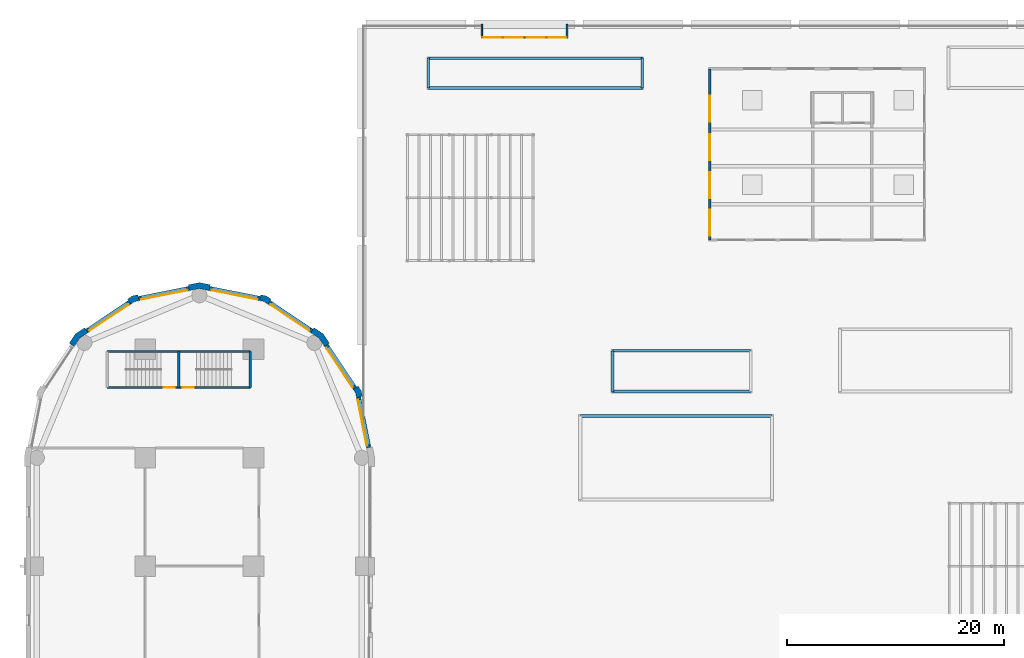
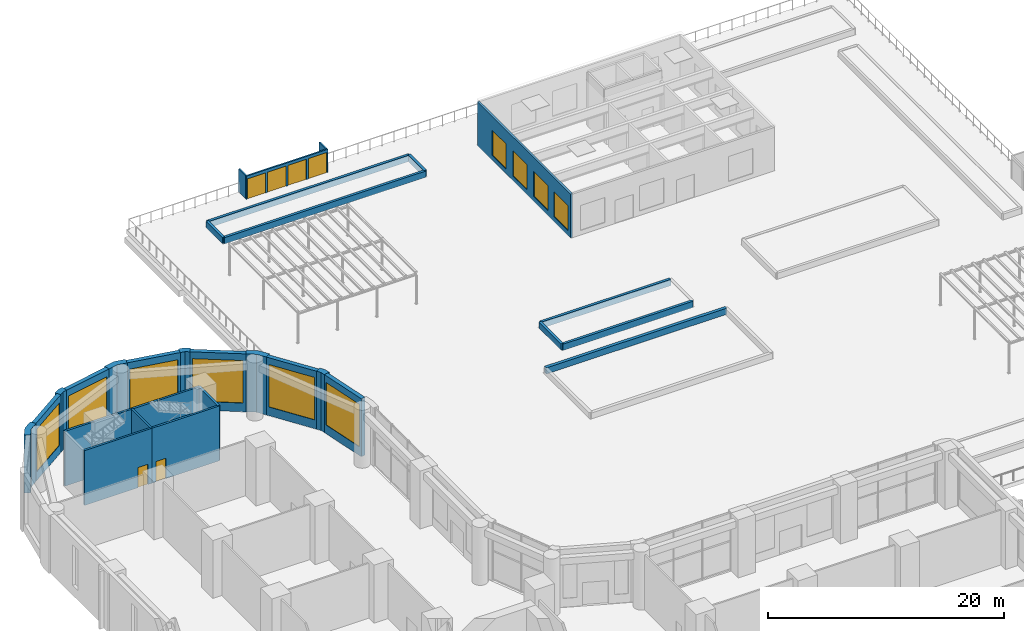
# One storey, part 18 of 28: 30 walls, 10 windows, 6 doors, 16 openings.
"""IFC4 building model written with IfcOpenShell, lengths in metres."""

from ifc_helpers import new_model, si_unit, direction, frame, frame_2d, origin, place, context, subcontext, project, spatial, polyline, rectangle, outline, extrude, material, layer, layer_set, type_object, element, fill, save


model = new_model("IFC4")

# Units and contexts
model_context = context("Model", 3, precision=1e-05, world=origin(), true_north=direction((0.0, 1.0)))
body_context = subcontext(model_context, "Body", "Model", "MODEL_VIEW")
ifc_project = project(units=[si_unit("LENGTHUNIT", "METRE"), si_unit("AREAUNIT", "SQUARE_METRE"), si_unit("VOLUMEUNIT", "CUBIC_METRE"), si_unit("PLANEANGLEUNIT", "RADIAN"), si_unit("MASSUNIT", "GRAM", prefix="KILO")], contexts=[model_context])

# Site, building, storey
site_placement = place(None, origin())
site = spatial("IfcSite", under=ifc_project, at=site_placement, CompositionType="ELEMENT")
building_placement = place(site_placement, origin())
building = spatial("IfcBuilding", under=site, at=building_placement, Name="Qaws Garden Tower", CompositionType="ELEMENT")
storey_placement = place(building_placement, frame((0.0, 0.0, 6.0)))
storey = spatial("IfcBuildingStorey", under=building, at=storey_placement, Name="L01", CompositionType="ELEMENT", Elevation=6.0)

# Wall, opening, door
ifc_material_1 = material(Name="Concrete C80", Category="concrete")
ifc_layer_1 = layer(ifc_material_1, 0.199951171875)
ifc_layer_set_1 = layer_set([ifc_layer_1], Name="Concrete C80")
wall_type_1 = type_object("IfcWallType", Name="Core shaft wall 200 C80", PredefinedType="SHEAR", material=ifc_layer_set_1)
wall_1_placement = place(storey_placement, frame((6.5, 66.5, 0.0), z_axis=(0.0, 0.0, 1.0), x_axis=(1.0, 0.0, 0.0)))
wall_1 = element("IfcWall", 1, at=wall_1_placement, inside=storey, type_object=wall_type_1, Name="Shaft wall", PredefinedType="SHEAR", context=body_context, shape_type="SweptSolid", body=[
    extrude(rectangle(XDim=6.60009765625, YDim=0.199951171875, at=frame_2d((3.300048828125, 0.0))), origin(), (0.0, 0.0, 1.0), 5.679931640625),
])
opening_1_placement = place(wall_1_placement, frame((5.22509765625, 0.0, 0.0)))
opening_1 = element("IfcOpeningElement", 2, at=opening_1_placement, cuts=wall_1, Name="Opening SD13", PredefinedType="OPENING", context=body_context, shape_type="SweptSolid", body=[
    extrude(rectangle(XDim=1.0, YDim=2.10009765625, at=frame_2d((0.5, 1.050048828125))), frame((0.0, 0.10986328125, 0.0), z_axis=(0.0, -1.0, 0.0), x_axis=(1.0, 0.0, 0.0)), (0.0, 0.0, 1.0), 0.219970703125),
])
ifc_material_2 = material(Name="Steel S235", Category="steel")
door_type_1 = type_object("IfcDoorType", Name="Stair door 1000x2100", OperationType="SINGLE_SWING_RIGHT", PredefinedType="DOOR", material=ifc_material_2)
door_1_placement = place(opening_1_placement, origin())
door_1 = element("IfcDoor", 3, at=door_1_placement, inside=storey, type_object=door_type_1, Name="Stair 6 door", OperationType="SINGLE_SWING_RIGHT", OverallHeight=2.10009765625, OverallWidth=1.0, PredefinedType="DOOR", context=body_context, shape_type="SweptSolid", body=[
    extrude(rectangle(XDim=1.0, YDim=2.10009765625, at=frame_2d((0.5, 1.050048828125))), frame((0.0, 0.02490234375, 0.0), z_axis=(0.0, -1.0, 0.0), x_axis=(1.0, 0.0, 0.0)), (0.0, 0.0, 1.0), 0.050048828125),
])
fill(opening_1, door_1)

wall_2_placement = place(storey_placement, frame((13.10009765625, 66.5, 0.0), z_axis=(0.0, 0.0, 1.0), x_axis=(1.0, 0.0, 0.0)))
wall_2 = element("IfcWall", 4, at=wall_2_placement, inside=storey, type_object=wall_type_1, Name="Shaft wall", PredefinedType="SHEAR", context=body_context, shape_type="SweptSolid", body=[
    extrude(rectangle(XDim=6.599853515625, YDim=0.199951171875, at=frame_2d((3.2998046875, 0.0))), origin(), (0.0, 0.0, 1.0), 5.679931640625),
])
opening_2_placement = place(wall_2_placement, frame((0.375, 0.0, 0.0)))
opening_2 = element("IfcOpeningElement", 5, at=opening_2_placement, cuts=wall_2, Name="Opening SD14", PredefinedType="OPENING", context=body_context, shape_type="SweptSolid", body=[
    extrude(rectangle(XDim=1.0, YDim=2.10009765625, at=frame_2d((0.5, 1.050048828125))), frame((0.0, 0.10986328125, 0.0), z_axis=(0.0, -1.0, 0.0), x_axis=(1.0, 0.0, 0.0)), (0.0, 0.0, 1.0), 0.219970703125),
])
door_2_placement = place(opening_2_placement, origin())
door_2 = element("IfcDoor", 6, at=door_2_placement, inside=storey, type_object=door_type_1, Name="Stair 7 door", OperationType="SINGLE_SWING_LEFT", OverallHeight=2.10009765625, OverallWidth=1.0, PredefinedType="DOOR", context=body_context, shape_type="SweptSolid", body=[
    extrude(rectangle(XDim=1.0, YDim=2.10009765625, at=frame_2d((0.5, 1.050048828125))), frame((0.0, 0.02490234375, 0.0), z_axis=(0.0, -1.0, 0.0), x_axis=(1.0, 0.0, 0.0)), (0.0, 0.0, 1.0), 0.050048828125),
])
fill(opening_2, door_2)

# Walls
wall_3_placement = place(storey_placement, frame((6.5, 69.800048828125, 0.0), z_axis=(0.0, 0.0, 1.0), x_axis=(1.0, 0.0, 0.0)))
element("IfcWall", 7, at=wall_3_placement, inside=storey, type_object=wall_type_1, Name="Shaft wall", PredefinedType="SHEAR", context=body_context, shape_type="SweptSolid", body=[
    extrude(rectangle(XDim=6.60009765625, YDim=0.199951171875, at=frame_2d((3.300048828125, 0.0))), origin(), (0.0, 0.0, 1.0), 5.679931640625),
])
wall_4_placement = place(storey_placement, frame((13.10009765625, 69.800048828125, 0.0), z_axis=(0.0, 0.0, 1.0), x_axis=(1.0, 0.0, 0.0)))
element("IfcWall", 8, at=wall_4_placement, inside=storey, type_object=wall_type_1, Name="Shaft wall", PredefinedType="SHEAR", context=body_context, shape_type="SweptSolid", body=[
    extrude(rectangle(XDim=6.599853515625, YDim=0.199951171875, at=frame_2d((3.2998046875, 0.0))), origin(), (0.0, 0.0, 1.0), 5.679931640625),
])
for number, where, z_axis, x_axis, name in (
    (9, (13.10009765625, 66.5, 0.0), (0.0, 0.0, 1.0), (0.0, 1.0, 0.0), "Shaft wall"),
    (10, (19.699951171875, 66.5, 0.0), (0.0, 0.0, 1.0), (0.0, 1.0, 0.0), "Shaft wall"),
):
    element("IfcWall", number, at=place(storey_placement, frame(where, z_axis=z_axis, x_axis=x_axis)), inside=storey, type_object=wall_type_1, Name=name, PredefinedType="SHEAR", context=body_context, shape_type="SweptSolid", body=[
        extrude(rectangle(XDim=3.300048828125, YDim=0.199951171875, at=frame_2d((1.64990234375, 0.0))), origin(), (0.0, 0.0, 1.0), 5.679931640625),
    ])

# Wall, openings, doors
ifc_material_3 = material(Name="Steel S355 and clear glass", Category="steel")
ifc_layer_2 = layer(ifc_material_3, 0.14990234375)
ifc_layer_set_2 = layer_set([ifc_layer_2], Name="Steel S355 and clear glass")
wall_type_2 = type_object("IfcWallType", Name="Garden gate screen 150", PredefinedType="STANDARD", material=ifc_layer_set_2)
wall_5_placement = place(storey_placement, frame((41.0, 98.800048828125, 0.0), z_axis=(0.0, 0.0, 1.0), x_axis=(1.0, 0.0, 0.0)))
wall_5 = element("IfcWall", 11, at=wall_5_placement, inside=storey, type_object=wall_type_2, Name="Garden gate screen", PredefinedType="STANDARD", context=body_context, shape_type="SweptSolid", body=[
    extrude(rectangle(XDim=8.0, YDim=0.14990234375, at=frame_2d((4.0, 0.0))), origin(), (0.0, 0.0, 1.0), 2.39990234375),
])
opening_3_placement = place(wall_5_placement, frame((0.10009765625, 0.0, 0.0)))
opening_3 = element("IfcOpeningElement", 12, at=opening_3_placement, cuts=wall_5, Name="Opening PD13-01", PredefinedType="OPENING", context=body_context, shape_type="SweptSolid", body=[
    extrude(rectangle(XDim=1.800048828125, YDim=2.10009765625, at=frame_2d((0.89990234375, 1.050048828125))), frame((0.0, 0.0849609375, 0.0), z_axis=(0.0, -1.0, 0.0), x_axis=(1.0, 0.0, 0.0)), (0.0, 0.0, 1.0), 0.169921875),
])
opening_4_placement = place(wall_5_placement, frame((2.10009765625, 0.0, 0.0)))
opening_4 = element("IfcOpeningElement", 13, at=opening_4_placement, cuts=wall_5, Name="Opening PD13-02", PredefinedType="OPENING", context=body_context, shape_type="SweptSolid", body=[
    extrude(rectangle(XDim=1.800048828125, YDim=2.10009765625, at=frame_2d((0.89990234375, 1.050048828125))), frame((0.0, 0.0849609375, 0.0), z_axis=(0.0, -1.0, 0.0), x_axis=(1.0, 0.0, 0.0)), (0.0, 0.0, 1.0), 0.169921875),
])
opening_5_placement = place(wall_5_placement, frame((4.10009765625, 0.0, 0.0)))
opening_5 = element("IfcOpeningElement", 14, at=opening_5_placement, cuts=wall_5, Name="Opening PD13-03", PredefinedType="OPENING", context=body_context, shape_type="SweptSolid", body=[
    extrude(rectangle(XDim=1.800048828125, YDim=2.10009765625, at=frame_2d((0.89990234375, 1.050048828125))), frame((0.0, 0.0849609375, 0.0), z_axis=(0.0, -1.0, 0.0), x_axis=(1.0, 0.0, 0.0)), (0.0, 0.0, 1.0), 0.169921875),
])
opening_6_placement = place(wall_5_placement, frame((6.10009765625, 0.0, 0.0)))
opening_6 = element("IfcOpeningElement", 15, at=opening_6_placement, cuts=wall_5, Name="Opening PD13-04", PredefinedType="OPENING", context=body_context, shape_type="SweptSolid", body=[
    extrude(rectangle(XDim=1.800048828125, YDim=2.10009765625, at=frame_2d((0.89990234375, 1.050048828125))), frame((0.0, 0.0849609375, 0.0), z_axis=(0.0, -1.0, 0.0), x_axis=(1.0, 0.0, 0.0)), (0.0, 0.0, 1.0), 0.169921875),
])
ifc_material_4 = material(Name="Steel S235 framed door leaf", Category="steel")
door_type_2 = type_object("IfcDoorType", Name="Door D13 garden gate 1800", OperationType="DOUBLE_DOOR_SINGLE_SWING", PredefinedType="DOOR", material=ifc_material_4)
door_3_placement = place(opening_3_placement, origin())
door_3 = element("IfcDoor", 16, at=door_3_placement, inside=storey, type_object=door_type_2, Name="Garden gate", OperationType="DOUBLE_DOOR_SINGLE_SWING", OverallHeight=2.10009765625, OverallWidth=1.800048828125, PredefinedType="DOOR", context=body_context, shape_type="SweptSolid", body=[
    extrude(rectangle(XDim=1.800048828125, YDim=2.10009765625, at=frame_2d((0.89990234375, 1.050048828125))), frame((0.0, 0.02490234375, 0.0), z_axis=(0.0, -1.0, 0.0), x_axis=(1.0, 0.0, 0.0)), (0.0, 0.0, 1.0), 0.050048828125),
])
fill(opening_3, door_3)
door_4_placement = place(opening_4_placement, origin())
door_4 = element("IfcDoor", 17, at=door_4_placement, inside=storey, type_object=door_type_2, Name="Garden gate", OperationType="DOUBLE_DOOR_SINGLE_SWING", OverallHeight=2.10009765625, OverallWidth=1.800048828125, PredefinedType="DOOR", context=body_context, shape_type="SweptSolid", body=[
    extrude(rectangle(XDim=1.800048828125, YDim=2.10009765625, at=frame_2d((0.89990234375, 1.050048828125))), frame((0.0, 0.02490234375, 0.0), z_axis=(0.0, -1.0, 0.0), x_axis=(1.0, 0.0, 0.0)), (0.0, 0.0, 1.0), 0.050048828125),
])
fill(opening_4, door_4)
door_5_placement = place(opening_5_placement, origin())
door_5 = element("IfcDoor", 18, at=door_5_placement, inside=storey, type_object=door_type_2, Name="Garden gate", OperationType="DOUBLE_DOOR_SINGLE_SWING", OverallHeight=2.10009765625, OverallWidth=1.800048828125, PredefinedType="DOOR", context=body_context, shape_type="SweptSolid", body=[
    extrude(rectangle(XDim=1.800048828125, YDim=2.10009765625, at=frame_2d((0.89990234375, 1.050048828125))), frame((0.0, 0.02490234375, 0.0), z_axis=(0.0, -1.0, 0.0), x_axis=(1.0, 0.0, 0.0)), (0.0, 0.0, 1.0), 0.050048828125),
])
fill(opening_5, door_5)
door_6_placement = place(opening_6_placement, origin())
door_6 = element("IfcDoor", 19, at=door_6_placement, inside=storey, type_object=door_type_2, Name="Garden gate", OperationType="DOUBLE_DOOR_SINGLE_SWING", OverallHeight=2.10009765625, OverallWidth=1.800048828125, PredefinedType="DOOR", context=body_context, shape_type="SweptSolid", body=[
    extrude(rectangle(XDim=1.800048828125, YDim=2.10009765625, at=frame_2d((0.89990234375, 1.050048828125))), frame((0.0, 0.02490234375, 0.0), z_axis=(0.0, -1.0, 0.0), x_axis=(1.0, 0.0, 0.0)), (0.0, 0.0, 1.0), 0.050048828125),
])
fill(opening_6, door_6)

# Walls
for number, where, z_axis, x_axis, name in (
    (20, (41.074951171875, 98.875, 0.0), (0.0, 0.0, 1.0), (0.0, 1.0, 0.0), "Garden gate screen return"),
    (21, (48.925048828125, 98.875, 0.0), (0.0, 0.0, 1.0), (0.0, 1.0, 0.0), "Garden gate screen return"),
):
    element("IfcWall", number, at=place(storey_placement, frame(where, z_axis=z_axis, x_axis=x_axis)), inside=storey, type_object=wall_type_2, Name=name, PredefinedType="STANDARD", context=body_context, shape_type="SweptSolid", body=[
        extrude(rectangle(XDim=1.125, YDim=0.14990234375, at=frame_2d((0.5625, 0.0))), origin(), (0.0, 0.0, 1.0), 2.39990234375),
    ])
ifc_material_5 = material(Name="Concrete C40", Category="concrete")
ifc_layer_3 = layer(ifc_material_5, 0.25)
ifc_layer_set_3 = layer_set([ifc_layer_3], Name="Concrete C40")
wall_type_3 = type_object("IfcWallType", Name="PLANTER kerb 250", PredefinedType="STANDARD", material=ifc_layer_set_3)
wall_6_placement = place(storey_placement, frame((36.125, 94.125, -0.0400390625), z_axis=(0.0, 0.0, 1.0), x_axis=(1.0, 0.0, 0.0)))
element("IfcWall", 22, at=wall_6_placement, inside=storey, type_object=wall_type_3, Name="PLANTER 01 kerb", PredefinedType="STANDARD", context=body_context, shape_type="SweptSolid", body=[
    extrude(rectangle(XDim=19.75, YDim=0.25, at=frame_2d((9.875, 0.0))), origin(), (0.0, 0.0, 1.0), 0.650146484375),
])
wall_7_placement = place(storey_placement, frame((55.875, 94.125, -0.0400390625), z_axis=(0.0, 0.0, 1.0), x_axis=(0.0, 1.0, 0.0)))
element("IfcWall", 23, at=wall_7_placement, inside=storey, type_object=wall_type_3, Name="PLANTER 01 kerb", PredefinedType="STANDARD", context=body_context, shape_type="SweptSolid", body=[
    extrude(rectangle(XDim=2.75, YDim=0.25, at=frame_2d((1.375, 0.0))), origin(), (0.0, 0.0, 1.0), 0.650146484375),
])
wall_8_placement = place(storey_placement, frame((55.875, 96.875, -0.0400390625), z_axis=(0.0, 0.0, 1.0), x_axis=(-1.0, 0.0, 0.0)))
element("IfcWall", 24, at=wall_8_placement, inside=storey, type_object=wall_type_3, Name="PLANTER 01 kerb", PredefinedType="STANDARD", context=body_context, shape_type="SweptSolid", body=[
    extrude(rectangle(XDim=19.75, YDim=0.25, at=frame_2d((9.875, 0.0))), origin(), (0.0, 0.0, 1.0), 0.650146484375),
])
wall_9_placement = place(storey_placement, frame((36.125, 96.875, -0.0400390625), z_axis=(0.0, 0.0, 1.0), x_axis=(0.0, -1.0, 0.0)))
element("IfcWall", 25, at=wall_9_placement, inside=storey, type_object=wall_type_3, Name="PLANTER 01 kerb", PredefinedType="STANDARD", context=body_context, shape_type="SweptSolid", body=[
    extrude(rectangle(XDim=2.75, YDim=0.25, at=frame_2d((1.375, 0.0))), origin(), (0.0, 0.0, 1.0), 0.650146484375),
])
for number, where, z_axis, x_axis, name in (
    (26, (53.125, 66.125, -0.0400390625), (0.0, 0.0, 1.0), (1.0, 0.0, 0.0), "PLANTER 06 kerb"),
    (27, (65.875, 69.875, -0.0400390625), (0.0, 0.0, 1.0), (-1.0, 0.0, 0.0), "PLANTER 06 kerb"),
):
    element("IfcWall", number, at=place(storey_placement, frame(where, z_axis=z_axis, x_axis=x_axis)), inside=storey, type_object=wall_type_3, Name=name, PredefinedType="STANDARD", context=body_context, shape_type="SweptSolid", body=[
        extrude(rectangle(XDim=12.75, YDim=0.25, at=frame_2d((6.375, 0.0))), origin(), (0.0, 0.0, 1.0), 0.650146484375),
    ])
wall_10_placement = place(storey_placement, frame((53.125, 69.875, -0.0400390625), z_axis=(0.0, 0.0, 1.0), x_axis=(0.0, -1.0, 0.0)))
element("IfcWall", 28, at=wall_10_placement, inside=storey, type_object=wall_type_3, Name="PLANTER 06 kerb", PredefinedType="STANDARD", context=body_context, shape_type="SweptSolid", body=[
    extrude(rectangle(XDim=3.75, YDim=0.25, at=frame_2d((1.875, 0.0))), origin(), (0.0, 0.0, 1.0), 0.650146484375),
])

# Wall, openings, windows
ifc_material_6 = material(Name="Blockwork reinforced with steel S355", Category="masonry")
ifc_layer_4 = layer(ifc_material_6, 0.199951171875)
ifc_layer_set_4 = layer_set([ifc_layer_4], Name="Blockwork reinforced with steel S355")
wall_type_4 = type_object("IfcWallType", Name="Pavilion wall 200", PredefinedType="STANDARD", material=ifc_layer_set_4)
wall_11_placement = place(storey_placement, frame((62.10009765625, 95.89990234375, -0.0400390625), z_axis=(0.0, 0.0, 1.0), x_axis=(0.0, -1.0, 0.0)))
wall_11 = element("IfcWall", 29, at=wall_11_placement, inside=storey, type_object=wall_type_4, Name="Garden pavilion wall W", PredefinedType="STANDARD", context=body_context, shape_type="SweptSolid", body=[
    extrude(rectangle(XDim=15.7998046875, YDim=0.199951171875, at=frame_2d((7.89990234375, 0.0))), origin(), (0.0, 0.0, 1.0), 4.5400390625),
])
opening_7_placement = place(wall_11_placement, frame((2.5, 0.0, 0.5)))
opening_7 = element("IfcOpeningElement", 30, at=opening_7_placement, cuts=wall_11, Name="Opening PW-S3", PredefinedType="OPENING", context=body_context, shape_type="SweptSolid", body=[
    extrude(rectangle(XDim=2.39990234375, YDim=2.60009765625, at=frame_2d((1.199951171875, 1.300048828125))), frame((0.0, 0.10986328125, 0.0), z_axis=(0.0, -1.0, 0.0), x_axis=(1.0, 0.0, 0.0)), (0.0, 0.0, 1.0), 0.219970703125),
])
opening_8_placement = place(wall_11_placement, frame((6.050048828125, 0.0, 0.5)))
opening_8 = element("IfcOpeningElement", 31, at=opening_8_placement, cuts=wall_11, Name="Opening PW-S3", PredefinedType="OPENING", context=body_context, shape_type="SweptSolid", body=[
    extrude(rectangle(XDim=2.39990234375, YDim=2.60009765625, at=frame_2d((1.199951171875, 1.300048828125))), frame((0.0, 0.10986328125, 0.0), z_axis=(0.0, -1.0, 0.0), x_axis=(1.0, 0.0, 0.0)), (0.0, 0.0, 1.0), 0.219970703125),
])
opening_9_placement = place(wall_11_placement, frame((9.550048828125, 0.0, 0.5)))
opening_9 = element("IfcOpeningElement", 32, at=opening_9_placement, cuts=wall_11, Name="Opening PW-S3", PredefinedType="OPENING", context=body_context, shape_type="SweptSolid", body=[
    extrude(rectangle(XDim=2.39990234375, YDim=2.60009765625, at=frame_2d((1.199951171875, 1.300048828125))), frame((0.0, 0.10986328125, 0.0), z_axis=(0.0, -1.0, 0.0), x_axis=(1.0, 0.0, 0.0)), (0.0, 0.0, 1.0), 0.219970703125),
])
opening_10_placement = place(wall_11_placement, frame((13.0, 0.0, 0.5)))
opening_10 = element("IfcOpeningElement", 33, at=opening_10_placement, cuts=wall_11, Name="Opening PW-S3", PredefinedType="OPENING", context=body_context, shape_type="SweptSolid", body=[
    extrude(rectangle(XDim=2.39990234375, YDim=2.60009765625, at=frame_2d((1.199951171875, 1.300048828125))), frame((0.0, 0.10986328125, 0.0), z_axis=(0.0, -1.0, 0.0), x_axis=(1.0, 0.0, 0.0)), (0.0, 0.0, 1.0), 0.219970703125),
])
ifc_material_7 = material(Name="Aluminium and clear glass", Category="aluminium")
window_type_1 = type_object("IfcWindowType", Name="Pavilion window 2400", PartitioningType="DOUBLE_PANEL_VERTICAL", PredefinedType="WINDOW", material=ifc_material_7)
window_1_placement = place(opening_7_placement, origin())
window_1 = element("IfcWindow", 34, at=window_1_placement, inside=storey, type_object=window_type_1, Name="Pavilion window", OverallHeight=2.60009765625, OverallWidth=2.39990234375, PartitioningType="SINGLE_PANEL", PredefinedType="WINDOW", context=body_context, shape_type="SweptSolid", body=[
    extrude(rectangle(XDim=2.39990234375, YDim=2.60009765625, at=frame_2d((1.199951171875, 1.300048828125))), frame((0.0, 0.030029296875, 0.0), z_axis=(0.0, -1.0, 0.0), x_axis=(1.0, 0.0, 0.0)), (0.0, 0.0, 1.0), 0.06005859375),
])
fill(opening_7, window_1)
window_2_placement = place(opening_8_placement, origin())
window_2 = element("IfcWindow", 35, at=window_2_placement, inside=storey, type_object=window_type_1, Name="Pavilion window", OverallHeight=2.60009765625, OverallWidth=2.39990234375, PartitioningType="SINGLE_PANEL", PredefinedType="WINDOW", context=body_context, shape_type="SweptSolid", body=[
    extrude(rectangle(XDim=2.39990234375, YDim=2.60009765625, at=frame_2d((1.199951171875, 1.300048828125))), frame((0.0, 0.030029296875, 0.0), z_axis=(0.0, -1.0, 0.0), x_axis=(1.0, 0.0, 0.0)), (0.0, 0.0, 1.0), 0.06005859375),
])
fill(opening_8, window_2)
window_3_placement = place(opening_9_placement, origin())
window_3 = element("IfcWindow", 36, at=window_3_placement, inside=storey, type_object=window_type_1, Name="Pavilion window", OverallHeight=2.60009765625, OverallWidth=2.39990234375, PartitioningType="SINGLE_PANEL", PredefinedType="WINDOW", context=body_context, shape_type="SweptSolid", body=[
    extrude(rectangle(XDim=2.39990234375, YDim=2.60009765625, at=frame_2d((1.199951171875, 1.300048828125))), frame((0.0, 0.030029296875, 0.0), z_axis=(0.0, -1.0, 0.0), x_axis=(1.0, 0.0, 0.0)), (0.0, 0.0, 1.0), 0.06005859375),
])
fill(opening_9, window_3)
window_4_placement = place(opening_10_placement, origin())
window_4 = element("IfcWindow", 37, at=window_4_placement, inside=storey, type_object=window_type_1, Name="Pavilion window", OverallHeight=2.60009765625, OverallWidth=2.39990234375, PartitioningType="SINGLE_PANEL", PredefinedType="WINDOW", context=body_context, shape_type="SweptSolid", body=[
    extrude(rectangle(XDim=2.39990234375, YDim=2.60009765625, at=frame_2d((1.199951171875, 1.300048828125))), frame((0.0, 0.030029296875, 0.0), z_axis=(0.0, -1.0, 0.0), x_axis=(1.0, 0.0, 0.0)), (0.0, 0.0, 1.0), 0.06005859375),
])
fill(opening_10, window_4)

# Wall, opening, window
ifc_material_8 = material(Name="Limestone ashlar masonry", Category="masonry")
ifc_layer_5 = layer(ifc_material_8, 0.39990234375)
ifc_layer_set_5 = layer_set([ifc_layer_5], Name="Limestone ashlar masonry")
wall_type_5 = type_object("IfcWallType", Name="Stone infill wall 400", PredefinedType="SOLIDWALL", material=ifc_layer_set_5)
wall_12_placement = place(storey_placement, frame((30.628662109375, 60.940673828125, 0.0), z_axis=(0.0, 0.0, 1.0), x_axis=(-0.195098533057, 0.98078364709, 0.0)))
wall_12 = element("IfcWall", 38, at=wall_12_placement, inside=storey, type_object=wall_type_5, Name="E-L01-infill-15", PredefinedType="SOLIDWALL", context=body_context, shape_type="SweptSolid", body=[
    extrude(rectangle(XDim=4.752685546875, YDim=0.39990234375, at=frame_2d((2.37646484375, 0.0))), origin(), (0.0, 0.0, 1.0), 6.0),
])
opening_11_placement = place(wall_12_placement, frame((0.226318359375, 0.0, 0.89990234375)))
opening_11 = element("IfcOpeningElement", 39, at=opening_11_placement, cuts=wall_12, Name="Opening W08", PredefinedType="OPENING", context=body_context, shape_type="SweptSolid", body=[
    extrude(rectangle(XDim=4.300048828125, YDim=4.39990234375, at=frame_2d((2.14990234375, 2.199951171875))), frame((0.0, 0.2099609375, 0.0), z_axis=(0.0, -1.0, 0.0), x_axis=(1.0, 0.0, 0.0)), (0.0, 0.0, 1.0), 0.419921875),
])
ifc_material_9 = material(Name="Aluminium framed window, clear glazing", Category="aluminium")
window_type_2 = type_object("IfcWindowType", Name="Ribbon window 4300 x 4400", PartitioningType="DOUBLE_PANEL_VERTICAL", PredefinedType="WINDOW", material=ifc_material_9)
window_5_placement = place(opening_11_placement, origin())
window_5 = element("IfcWindow", 40, at=window_5_placement, inside=storey, type_object=window_type_2, Name="E-L01-window-15-0", OverallHeight=4.39990234375, OverallWidth=4.300048828125, PartitioningType="SINGLE_PANEL", PredefinedType="WINDOW", context=body_context, shape_type="SweptSolid", body=[
    extrude(rectangle(XDim=4.300048828125, YDim=4.39990234375, at=frame_2d((2.14990234375, 2.199951171875))), frame((0.0, 0.159912109375, 0.0), z_axis=(0.0, -1.0, 0.0), x_axis=(1.0, 0.0, 0.0)), (0.0, 0.0, 1.0), 0.06005859375),
])
fill(opening_11, window_5)

wall_13_placement = place(storey_placement, frame((29.356689453125, 66.43408203125, 0.0), z_axis=(0.0, 0.0, 1.0), x_axis=(-0.555541552266, 0.831488775454, 0.0)))
wall_13 = element("IfcWall", 41, at=wall_13_placement, inside=storey, type_object=wall_type_5, Name="E-L01-infill-16", PredefinedType="SOLIDWALL", context=body_context, shape_type="SweptSolid", body=[
    extrude(rectangle(XDim=4.752685546875, YDim=0.39990234375, at=frame_2d((2.37646484375, 0.0))), origin(), (0.0, 0.0, 1.0), 6.0),
])
opening_12_placement = place(wall_13_placement, frame((0.226318359375, 0.0, 0.89990234375)))
opening_12 = element("IfcOpeningElement", 42, at=opening_12_placement, cuts=wall_13, Name="Opening W08", PredefinedType="OPENING", context=body_context, shape_type="SweptSolid", body=[
    extrude(rectangle(XDim=4.300048828125, YDim=4.39990234375, at=frame_2d((2.14990234375, 2.199951171875))), frame((0.0, 0.2099609375, 0.0), z_axis=(0.0, -1.0, 0.0), x_axis=(1.0, 0.0, 0.0)), (0.0, 0.0, 1.0), 0.419921875),
])
window_6_placement = place(opening_12_placement, origin())
window_6 = element("IfcWindow", 43, at=window_6_placement, inside=storey, type_object=window_type_2, Name="E-L01-window-16-0", OverallHeight=4.39990234375, OverallWidth=4.300048828125, PartitioningType="SINGLE_PANEL", PredefinedType="WINDOW", context=body_context, shape_type="SweptSolid", body=[
    extrude(rectangle(XDim=4.300048828125, YDim=4.39990234375, at=frame_2d((2.14990234375, 2.199951171875))), frame((0.0, 0.159912109375, 0.0), z_axis=(0.0, -1.0, 0.0), x_axis=(1.0, 0.0, 0.0)), (0.0, 0.0, 1.0), 0.06005859375),
])
fill(opening_12, window_6)

wall_14_placement = place(storey_placement, frame((25.385986328125, 71.71630859375, 0.0), z_axis=(0.0, 0.0, 1.0), x_axis=(-0.831488775454, 0.555541552266, 0.0)))
wall_14 = element("IfcWall", 44, at=wall_14_placement, inside=storey, type_object=wall_type_5, Name="E-L01-infill-17", PredefinedType="SOLIDWALL", context=body_context, shape_type="SweptSolid", body=[
    extrude(rectangle(XDim=4.752685546875, YDim=0.39990234375, at=frame_2d((2.37646484375, 0.0))), origin(), (0.0, 0.0, 1.0), 6.0),
])
opening_13_placement = place(wall_14_placement, frame((0.226318359375, 0.0, 0.89990234375)))
opening_13 = element("IfcOpeningElement", 45, at=opening_13_placement, cuts=wall_14, Name="Opening W08", PredefinedType="OPENING", context=body_context, shape_type="SweptSolid", body=[
    extrude(rectangle(XDim=4.300048828125, YDim=4.39990234375, at=frame_2d((2.14990234375, 2.199951171875))), frame((0.0, 0.2099609375, 0.0), z_axis=(0.0, -1.0, 0.0), x_axis=(1.0, 0.0, 0.0)), (0.0, 0.0, 1.0), 0.419921875),
])
window_7_placement = place(opening_13_placement, origin())
window_7 = element("IfcWindow", 46, at=window_7_placement, inside=storey, type_object=window_type_2, Name="E-L01-window-17-0", OverallHeight=4.39990234375, OverallWidth=4.300048828125, PartitioningType="SINGLE_PANEL", PredefinedType="WINDOW", context=body_context, shape_type="SweptSolid", body=[
    extrude(rectangle(XDim=4.300048828125, YDim=4.39990234375, at=frame_2d((2.14990234375, 2.199951171875))), frame((0.0, 0.159912109375, 0.0), z_axis=(0.0, -1.0, 0.0), x_axis=(1.0, 0.0, 0.0)), (0.0, 0.0, 1.0), 0.06005859375),
])
fill(opening_13, window_7)

wall_15_placement = place(storey_placement, frame((20.60205078125, 74.701416015625, 0.0), z_axis=(0.0, 0.0, 1.0), x_axis=(-0.98078364709, 0.195098533057, 0.0)))
wall_15 = element("IfcWall", 47, at=wall_15_placement, inside=storey, type_object=wall_type_5, Name="E-L01-infill-18", PredefinedType="SOLIDWALL", context=body_context, shape_type="SweptSolid", body=[
    extrude(rectangle(XDim=4.752685546875, YDim=0.39990234375, at=frame_2d((2.37646484375, 0.0))), origin(), (0.0, 0.0, 1.0), 6.0),
])
opening_14_placement = place(wall_15_placement, frame((0.226318359375, 0.0, 0.89990234375)))
opening_14 = element("IfcOpeningElement", 48, at=opening_14_placement, cuts=wall_15, Name="Opening W08", PredefinedType="OPENING", context=body_context, shape_type="SweptSolid", body=[
    extrude(rectangle(XDim=4.300048828125, YDim=4.39990234375, at=frame_2d((2.14990234375, 2.199951171875))), frame((0.0, 0.2099609375, 0.0), z_axis=(0.0, -1.0, 0.0), x_axis=(1.0, 0.0, 0.0)), (0.0, 0.0, 1.0), 0.419921875),
])
window_8_placement = place(opening_14_placement, origin())
window_8 = element("IfcWindow", 49, at=window_8_placement, inside=storey, type_object=window_type_2, Name="E-L01-window-18-0", OverallHeight=4.39990234375, OverallWidth=4.300048828125, PartitioningType="SINGLE_PANEL", PredefinedType="WINDOW", context=body_context, shape_type="SweptSolid", body=[
    extrude(rectangle(XDim=4.300048828125, YDim=4.39990234375, at=frame_2d((2.14990234375, 2.199951171875))), frame((0.0, 0.159912109375, 0.0), z_axis=(0.0, -1.0, 0.0), x_axis=(1.0, 0.0, 0.0)), (0.0, 0.0, 1.0), 0.06005859375),
])
fill(opening_14, window_8)

wall_16_placement = place(storey_placement, frame((14.059326171875, 75.628662109375, 0.0), z_axis=(0.0, 0.0, 1.0), x_axis=(-0.98078364709, -0.195098533057, 0.0)))
wall_16 = element("IfcWall", 50, at=wall_16_placement, inside=storey, type_object=wall_type_5, Name="E-L01-infill-19", PredefinedType="SOLIDWALL", context=body_context, shape_type="SweptSolid", body=[
    extrude(rectangle(XDim=4.752685546875, YDim=0.39990234375, at=frame_2d((2.37646484375, 0.0))), origin(), (0.0, 0.0, 1.0), 6.0),
])
opening_15_placement = place(wall_16_placement, frame((0.226318359375, 0.0, 0.89990234375)))
opening_15 = element("IfcOpeningElement", 51, at=opening_15_placement, cuts=wall_16, Name="Opening W08", PredefinedType="OPENING", context=body_context, shape_type="SweptSolid", body=[
    extrude(rectangle(XDim=4.300048828125, YDim=4.39990234375, at=frame_2d((2.14990234375, 2.199951171875))), frame((0.0, 0.2099609375, 0.0), z_axis=(0.0, -1.0, 0.0), x_axis=(1.0, 0.0, 0.0)), (0.0, 0.0, 1.0), 0.419921875),
])
window_9_placement = place(opening_15_placement, origin())
window_9 = element("IfcWindow", 52, at=window_9_placement, inside=storey, type_object=window_type_2, Name="E-L01-window-19-0", OverallHeight=4.39990234375, OverallWidth=4.300048828125, PartitioningType="SINGLE_PANEL", PredefinedType="WINDOW", context=body_context, shape_type="SweptSolid", body=[
    extrude(rectangle(XDim=4.300048828125, YDim=4.39990234375, at=frame_2d((2.14990234375, 2.199951171875))), frame((0.0, 0.159912109375, 0.0), z_axis=(0.0, -1.0, 0.0), x_axis=(1.0, 0.0, 0.0)), (0.0, 0.0, 1.0), 0.06005859375),
])
fill(opening_15, window_9)

wall_17_placement = place(storey_placement, frame((8.56591796875, 74.356689453125, 0.0), z_axis=(0.0, 0.0, 1.0), x_axis=(-0.831488775454, -0.555541552266, 0.0)))
wall_17 = element("IfcWall", 53, at=wall_17_placement, inside=storey, type_object=wall_type_5, Name="E-L01-infill-20", PredefinedType="SOLIDWALL", context=body_context, shape_type="SweptSolid", body=[
    extrude(rectangle(XDim=4.752685546875, YDim=0.39990234375, at=frame_2d((2.37646484375, 0.0))), origin(), (0.0, 0.0, 1.0), 6.0),
])
opening_16_placement = place(wall_17_placement, frame((0.226318359375, 0.0, 0.89990234375)))
opening_16 = element("IfcOpeningElement", 54, at=opening_16_placement, cuts=wall_17, Name="Opening W08", PredefinedType="OPENING", context=body_context, shape_type="SweptSolid", body=[
    extrude(rectangle(XDim=4.300048828125, YDim=4.39990234375, at=frame_2d((2.14990234375, 2.199951171875))), frame((0.0, 0.2099609375, 0.0), z_axis=(0.0, -1.0, 0.0), x_axis=(1.0, 0.0, 0.0)), (0.0, 0.0, 1.0), 0.419921875),
])
window_10_placement = place(opening_16_placement, origin())
window_10 = element("IfcWindow", 55, at=window_10_placement, inside=storey, type_object=window_type_2, Name="E-L01-window-20-0", OverallHeight=4.39990234375, OverallWidth=4.300048828125, PartitioningType="SINGLE_PANEL", PredefinedType="WINDOW", context=body_context, shape_type="SweptSolid", body=[
    extrude(rectangle(XDim=4.300048828125, YDim=4.39990234375, at=frame_2d((2.14990234375, 2.199951171875))), frame((0.0, 0.159912109375, 0.0), z_axis=(0.0, -1.0, 0.0), x_axis=(1.0, 0.0, 0.0)), (0.0, 0.0, 1.0), 0.06005859375),
])
fill(opening_16, window_10)

# Walls
ifc_material_10 = material(Name="Limestone ashlar masonry", Category="masonry")
ifc_layer_6 = layer(ifc_material_10, 0.550048828125)
ifc_layer_set_6 = layer_set([ifc_layer_6], Name="Limestone ashlar masonry")
wall_type_6 = type_object("IfcWallType", Name="Stone kink pier 550 x 600", PredefinedType="SOLIDWALL", material=ifc_layer_set_6)
placement = place(storey_placement, origin())
element("IfcWall", 56, at=placement, inside=storey, type_object=wall_type_6, Name="E-L01-pier-16", PredefinedType="SOLIDWALL", context=body_context, shape_type="SweptSolid", body=[
    extrude(outline(polyline([(29.8974609375, 65.64111328125), (30.044677734375, 65.67041015625), (29.94140625, 66.18896484375), (29.647705078125, 66.628662109375), (29.52294921875, 66.545166015625), (29.1904296875, 66.322998046875), (29.42333984375, 65.974365234375), (29.505126953125, 65.56298828125), (29.8974609375, 65.64111328125)])), origin(), (0.0, 0.0, 1.0), 6.0),
])
element("IfcWall", 57, at=placement, inside=storey, type_object=wall_type_6, Name="E-L01-pier-18", PredefinedType="SOLIDWALL", context=body_context, shape_type="SweptSolid", body=[
    extrude(outline(polyline([(21.545166015625, 74.52294921875), (21.628662109375, 74.647705078125), (21.18896484375, 74.94140625), (20.67041015625, 75.044677734375), (20.64111328125, 74.8974609375), (20.56298828125, 74.505126953125), (20.974365234375, 74.42333984375), (21.322998046875, 74.1904296875), (21.545166015625, 74.52294921875)])), origin(), (0.0, 0.0, 1.0), 6.0),
])
element("IfcWall", 58, at=placement, inside=storey, type_object=wall_type_6, Name="E-L01-pier-20", PredefinedType="SOLIDWALL", context=body_context, shape_type="SweptSolid", body=[
    extrude(outline(polyline([(9.35888671875, 74.8974609375), (9.32958984375, 75.044677734375), (8.81103515625, 74.94140625), (8.371337890625, 74.647705078125), (8.454833984375, 74.52294921875), (8.677001953125, 74.1904296875), (9.025634765625, 74.42333984375), (9.43701171875, 74.505126953125), (9.35888671875, 74.8974609375)])), origin(), (0.0, 0.0, 1.0), 6.0),
])
ifc_material_11 = material(Name="Limestone ashlar masonry", Category="masonry")
ifc_layer_7 = layer(ifc_material_11, 0.550048828125)
ifc_layer_set_7 = layer_set([ifc_layer_7], Name="Limestone ashlar masonry")
wall_type_7 = type_object("IfcWallType", Name="Stone pier 550 x 1600", PredefinedType="SOLIDWALL", material=ifc_layer_set_7)
element("IfcWall", 59, at=placement, inside=storey, type_object=wall_type_7, Name="E-L01-pier-17", PredefinedType="SOLIDWALL", context=body_context, shape_type="SweptSolid", body=[
    extrude(outline(polyline([(26.882568359375, 70.4970703125), (27.00732421875, 70.580322265625), (26.435791015625, 71.435791015625), (25.580322265625, 72.00732421875), (25.4970703125, 71.882568359375), (25.274658203125, 71.550048828125), (26.0390625, 71.0390625), (26.550048828125, 70.274658203125), (26.882568359375, 70.4970703125)])), origin(), (0.0, 0.0, 1.0), 6.0),
])
element("IfcWall", 60, at=placement, inside=storey, type_object=wall_type_7, Name="E-L01-pier-19", PredefinedType="SOLIDWALL", context=body_context, shape_type="SweptSolid", body=[
    extrude(outline(polyline([(15.979736328125, 75.82470703125), (16.009033203125, 75.971923828125), (15.0, 76.172607421875), (13.990966796875, 75.971923828125), (14.020263671875, 75.82470703125), (14.098388671875, 75.432373046875), (15.0, 75.61181640625), (15.901611328125, 75.432373046875), (15.979736328125, 75.82470703125)])), origin(), (0.0, 0.0, 1.0), 6.0),
])
element("IfcWall", 61, at=placement, inside=storey, type_object=wall_type_7, Name="E-L01-pier-21", PredefinedType="SOLIDWALL", context=body_context, shape_type="SweptSolid", body=[
    extrude(outline(polyline([(4.5029296875, 71.882568359375), (4.419677734375, 72.00732421875), (3.564208984375, 71.435791015625), (2.99267578125, 70.580322265625), (3.117431640625, 70.4970703125), (3.449951171875, 70.274658203125), (3.9609375, 71.0390625), (4.725341796875, 71.550048828125), (4.5029296875, 71.882568359375)])), origin(), (0.0, 0.0, 1.0), 6.0),
])
ifc_material_12 = material(Name="Concrete C40", Category="concrete")
ifc_layer_8 = layer(ifc_material_12, 0.300048828125)
ifc_layer_set_8 = layer_set([ifc_layer_8], Name="Concrete C40")
wall_type_8 = type_object("IfcWallType", Name="Water feature wall 300", PredefinedType="SOLIDWALL", material=ifc_layer_set_8)
wall_24_placement = place(storey_placement, frame((67.85009765625, 63.85009765625, -0.0400390625), z_axis=(0.0, 0.0, 1.0), x_axis=(-1.0, 0.0, 0.0)))
element("IfcWall", 62, at=wall_24_placement, inside=storey, type_object=wall_type_8, Name="Water feature wall", PredefinedType="SOLIDWALL", context=body_context, shape_type="SweptSolid", body=[
    extrude(rectangle(XDim=17.7001953125, YDim=0.300048828125, at=frame_2d((8.85009765625, 0.0))), origin(), (0.0, 0.0, 1.0), 0.64013671875),
])

save(model, "model.ifc")
